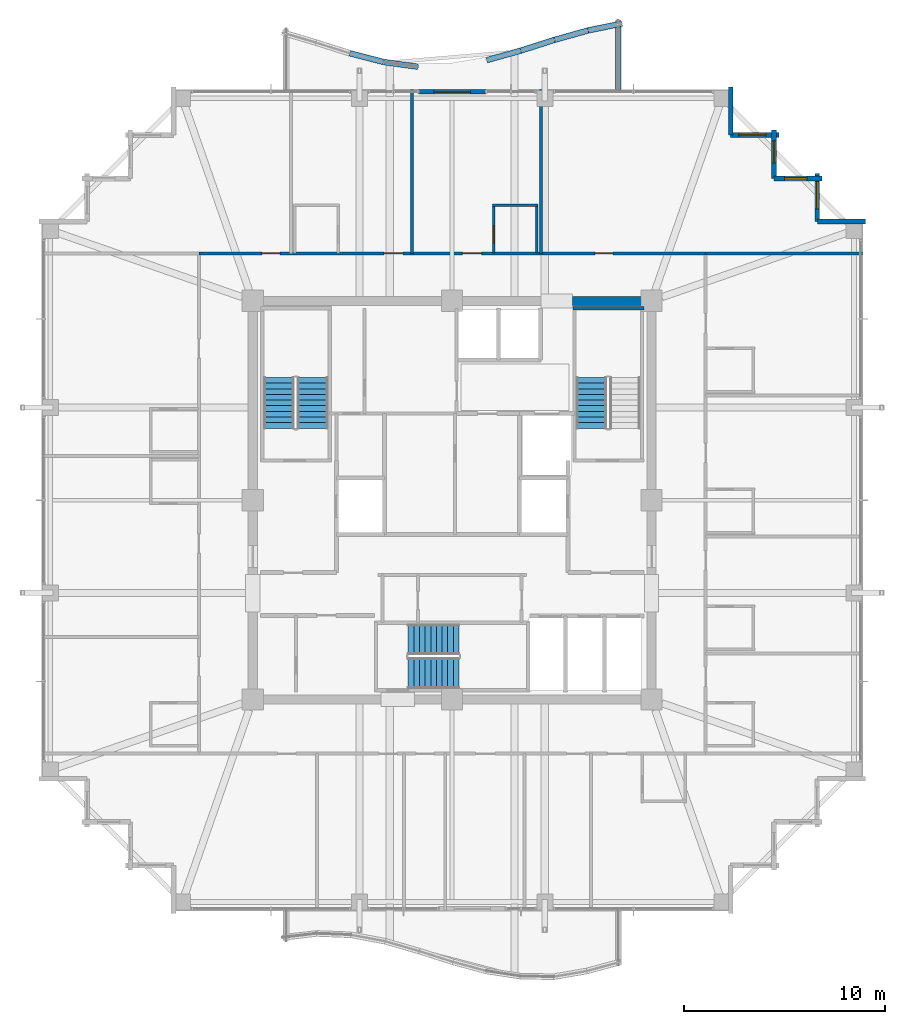
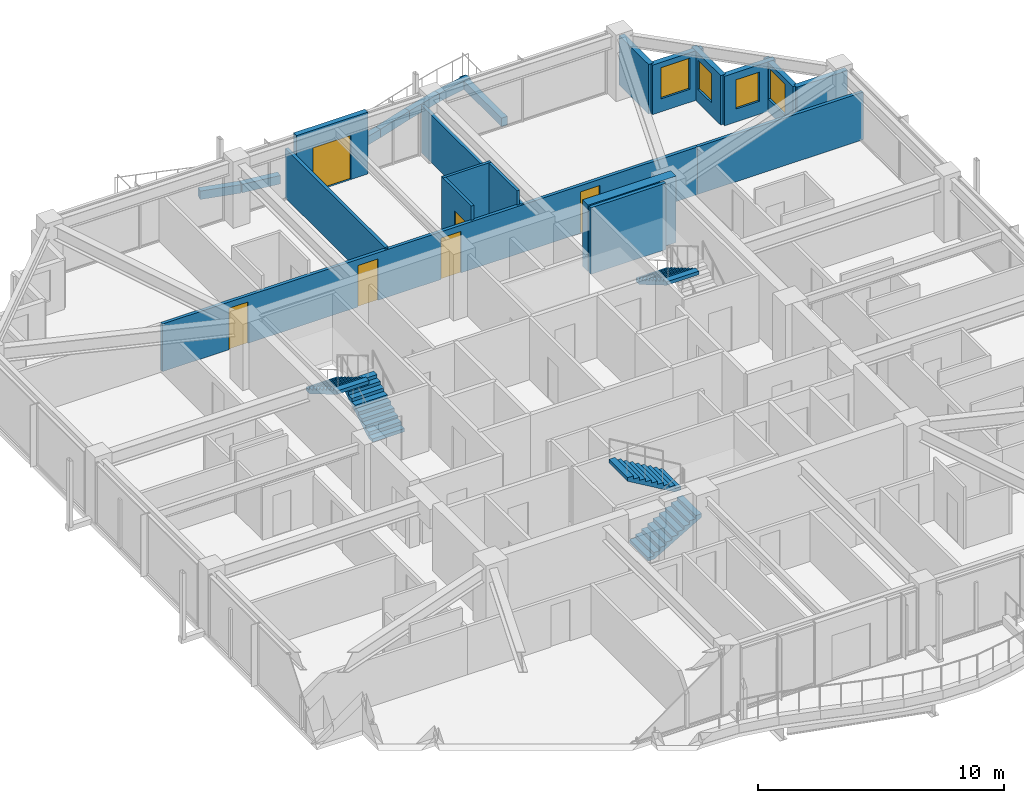
# One storey, part 35 of 38: 23 walls, 6 doors, 5 stair flights, 4 windows, 10 openings, 3 elements without a shape of their own.
"""IFC4 building model written with IfcOpenShell, lengths in metres."""

from ifc_helpers import new_model, si_unit, direction, frame, frame_2d, origin, place, context, subcontext, project, spatial, polyline, rectangle, outline, extrude, material, layer, layer_set, type_object, element, fill, aggregate, save


model = new_model("IFC4")

# Units and contexts
model_context = context("Model", 3, precision=1e-05, world=origin(), true_north=direction((0.0, 1.0)))
body_context = subcontext(model_context, "Body", "Model", "MODEL_VIEW")
ifc_project = project(units=[si_unit("LENGTHUNIT", "METRE"), si_unit("AREAUNIT", "SQUARE_METRE"), si_unit("VOLUMEUNIT", "CUBIC_METRE"), si_unit("PLANEANGLEUNIT", "RADIAN"), si_unit("MASSUNIT", "GRAM", prefix="KILO")], contexts=[model_context])

# Site, building, storey
site_placement = place(None, origin())
site = spatial("IfcSite", under=ifc_project, at=site_placement, CompositionType="ELEMENT")
building_placement = place(site_placement, origin())
building = spatial("IfcBuilding", under=site, at=building_placement, Name="Kolvaren Belvedere", CompositionType="ELEMENT")
storey_placement = place(building_placement, frame((0.0, 0.0, 213.0)))
storey = spatial("IfcBuildingStorey", under=building, at=storey_placement, Name="L62", CompositionType="ELEMENT", Elevation=213.0)

# Walls
ifc_material_1 = material(Name="Concrete C50/60", Category="concrete")
ifc_layer_1 = layer(ifc_material_1, 0.449951171875)
ifc_layer_set_1 = layer_set([ifc_layer_1], Name="Concrete C50/60")
wall_type_1 = type_object("IfcWallType", Name="CW-CORE-450", PredefinedType="SHEAR", material=ifc_layer_set_1)
wall_1_placement = place(storey_placement, frame((5.97998046875, 9.89990234375, 0.0), z_axis=(0.0, 0.0, 1.0), x_axis=(1.0, 0.0, 0.0)))
element("IfcWall", 1, at=wall_1_placement, inside=storey, type_object=wall_type_1, Name="L62 North Core Shear Wall 2", PredefinedType="SHEAR", context=body_context, shape_type="SweptSolid", body=[
    extrude(rectangle(XDim=4.14501953125, YDim=0.449951171875, at=frame_2d((2.072509765625, 0.0))), origin(), (0.0, 0.0, 1.0), 3.300048828125),
])
ifc_material_2 = material(Name="Concrete C50/60", Category="concrete")
ifc_layer_2 = layer(ifc_material_2, 0.159912109375)
ifc_layer_set_2 = layer_set([ifc_layer_2], Name="Concrete C50/60")
wall_type_2 = type_object("IfcWallType", Name="CW-STAIR-160", PredefinedType="SHEAR", material=ifc_layer_set_2)
wall_2_placement = place(storey_placement, frame((6.0, 9.530029296875, 0.0), z_axis=(0.0, 0.0, 1.0), x_axis=(1.0, 0.0, 0.0)))
element("IfcWall", 2, at=wall_2_placement, inside=storey, type_object=wall_type_2, Name="L62 Stair ST-2 North Shear Wall", PredefinedType="SHEAR", context=body_context, shape_type="SweptSolid", body=[
    extrude(rectangle(XDim=3.52001953125, YDim=0.159912109375, at=frame_2d((1.760009765625, 0.0))), origin(), (0.0, 0.0, 1.0), 3.300048828125),
])

# Wall, openings, doors
ifc_material_3 = material(Name="Gypsum fire-rated partition assembly", Category="gypsum")
ifc_layer_3 = layer(ifc_material_3, 0.14990234375)
ifc_layer_set_3 = layer_set([ifc_layer_3], Name="Gypsum fire-rated partition assembly")
wall_type_3 = type_object("IfcWallType", Name="WL-CORR-150", PredefinedType="PARTITIONING", material=ifc_layer_set_3)
wall_3_placement = place(storey_placement, frame((-12.580078125, 12.260009765625, 0.0), z_axis=(0.0, 0.0, 1.0), x_axis=(1.0, 0.0, 0.0)))
wall_3 = element("IfcWall", 3, at=wall_3_placement, inside=storey, type_object=wall_type_3, Name="L62 North Corridor Wall", PredefinedType="PARTITIONING", context=body_context, shape_type="SweptSolid", body=[
    extrude(rectangle(XDim=25.16015625, YDim=0.14990234375, at=frame_2d((12.580078125, 0.0))), origin(), (0.0, 0.0, 1.0), 2.368896484375),
])
opening_1_placement = place(wall_3_placement, frame((3.1328125, 0.0, 0.0)))
opening_1 = element("IfcOpeningElement", 4, at=opening_1_placement, cuts=wall_3, Name="Opening D-INT90", PredefinedType="OPENING", context=body_context, shape_type="SweptSolid", body=[
    extrude(rectangle(XDim=0.89990234375, YDim=2.06005859375, at=frame_2d((0.449951171875, 1.030029296875))), frame((0.0, 0.0849609375, 0.0), z_axis=(0.0, -1.0, 0.0), x_axis=(1.0, 0.0, 0.0)), (0.0, 0.0, 1.0), 0.169921875),
])
opening_2_placement = place(wall_3_placement, frame((9.187744140625, 0.0, 0.0)))
opening_2 = element("IfcOpeningElement", 5, at=opening_2_placement, cuts=wall_3, Name="Opening D-FD60", PredefinedType="OPENING", context=body_context, shape_type="SweptSolid", body=[
    extrude(rectangle(XDim=0.949951171875, YDim=2.06005859375, at=frame_2d((0.47509765625, 1.030029296875))), frame((0.0, 0.0849609375, 0.0), z_axis=(0.0, -1.0, 0.0), x_axis=(1.0, 0.0, 0.0)), (0.0, 0.0, 1.0), 0.169921875),
])
opening_3_placement = place(wall_3_placement, frame((13.08740234375, 0.0, 0.0)))
opening_3 = element("IfcOpeningElement", 6, at=opening_3_placement, cuts=wall_3, Name="Opening D-FD60", PredefinedType="OPENING", context=body_context, shape_type="SweptSolid", body=[
    extrude(rectangle(XDim=0.949951171875, YDim=2.06005859375, at=frame_2d((0.47509765625, 1.030029296875))), frame((0.0, 0.0849609375, 0.0), z_axis=(0.0, -1.0, 0.0), x_axis=(1.0, 0.0, 0.0)), (0.0, 0.0, 1.0), 0.169921875),
])
opening_4_placement = place(wall_3_placement, frame((19.6650390625, 0.0, 0.0)))
opening_4 = element("IfcOpeningElement", 7, at=opening_4_placement, cuts=wall_3, Name="Opening D-INT90", PredefinedType="OPENING", context=body_context, shape_type="SweptSolid", body=[
    extrude(rectangle(XDim=0.89990234375, YDim=2.06005859375, at=frame_2d((0.449951171875, 1.030029296875))), frame((0.0, 0.0849609375, 0.0), z_axis=(0.0, -1.0, 0.0), x_axis=(1.0, 0.0, 0.0)), (0.0, 0.0, 1.0), 0.169921875),
])
ifc_material_4 = material(Name="Acoustic white-oak fire door leaf", Category="timber")
door_type_1 = type_object("IfcDoorType", Name="DR-FD60-950", OperationType="NOTDEFINED", PredefinedType="DOOR", material=ifc_material_4)
door_1_placement = place(opening_2_placement, origin())
door_1 = element("IfcDoor", 8, at=door_1_placement, inside=storey, type_object=door_type_1, Name="L62 Twin Guest Room 6213 Entry Door", OperationType="SINGLE_SWING_RIGHT", OverallHeight=2.06005859375, OverallWidth=0.949951171875, PredefinedType="DOOR", context=body_context, shape_type="SweptSolid", body=[
    extrude(rectangle(XDim=0.949951171875, YDim=2.06005859375, at=frame_2d((0.47509765625, 1.030029296875))), frame((0.0, 0.02490234375, 0.0), z_axis=(0.0, -1.0, 0.0), x_axis=(1.0, 0.0, 0.0)), (0.0, 0.0, 1.0), 0.050048828125),
])
fill(opening_2, door_1)
door_2_placement = place(opening_3_placement, origin())
door_2 = element("IfcDoor", 9, at=door_2_placement, inside=storey, type_object=door_type_1, Name="L62 Deluxe King Guest Room 6214 Entry Door", OperationType="SINGLE_SWING_RIGHT", OverallHeight=2.06005859375, OverallWidth=0.949951171875, PredefinedType="DOOR", context=body_context, shape_type="SweptSolid", body=[
    extrude(rectangle(XDim=0.949951171875, YDim=2.06005859375, at=frame_2d((0.47509765625, 1.030029296875))), frame((0.0, 0.02490234375, 0.0), z_axis=(0.0, -1.0, 0.0), x_axis=(1.0, 0.0, 0.0)), (0.0, 0.0, 1.0), 0.050048828125),
])
fill(opening_3, door_2)
ifc_material_5 = material(Name="Stained Pacific white oak", Category="timber")
door_type_2 = type_object("IfcDoorType", Name="DR-INT-900", OperationType="NOTDEFINED", PredefinedType="DOOR", material=ifc_material_5)
door_3_placement = place(opening_1_placement, origin())
door_3 = element("IfcDoor", 10, at=door_3_placement, inside=storey, type_object=door_type_2, Name="L62 Lounge 6212 Door", OperationType="SINGLE_SWING_RIGHT", OverallHeight=2.06005859375, OverallWidth=0.89990234375, PredefinedType="DOOR", context=body_context, shape_type="SweptSolid", body=[
    extrude(rectangle(XDim=0.89990234375, YDim=2.06005859375, at=frame_2d((0.449951171875, 1.030029296875))), frame((0.0, 0.02490234375, 0.0), z_axis=(0.0, -1.0, 0.0), x_axis=(1.0, 0.0, 0.0)), (0.0, 0.0, 1.0), 0.050048828125),
])
fill(opening_1, door_3)
door_4_placement = place(opening_4_placement, origin())
door_4 = element("IfcDoor", 11, at=door_4_placement, inside=storey, type_object=door_type_2, Name="L62 Lounge 6215 Door", OperationType="SINGLE_SWING_LEFT", OverallHeight=2.06005859375, OverallWidth=0.89990234375, PredefinedType="DOOR", context=body_context, shape_type="SweptSolid", body=[
    extrude(rectangle(XDim=0.89990234375, YDim=2.06005859375, at=frame_2d((0.449951171875, 1.030029296875))), frame((0.0, 0.02490234375, 0.0), z_axis=(0.0, -1.0, 0.0), x_axis=(1.0, 0.0, 0.0)), (0.0, 0.0, 1.0), 0.050048828125),
])
fill(opening_4, door_4)

# Wall
ifc_material_6 = material(Name="Insulated pale-metal facade wall assembly", Category="aluminium")
ifc_layer_4 = layer(ifc_material_6, 0.239990234375)
ifc_layer_set_4 = layer_set([ifc_layer_4], Name="Insulated pale-metal facade wall assembly")
wall_type_4 = type_object("IfcWallType", Name="WL-EXT-240", PredefinedType="STANDARD", material=ifc_layer_set_4)
wall_4_placement = place(storey_placement, frame((18.1298828125, 13.830078125, 0.0), z_axis=(0.0, 0.0, 1.0), x_axis=(1.0, 0.0, 0.0)))
element("IfcWall", 12, at=wall_4_placement, inside=storey, type_object=wall_type_4, Name="L62 Serrated Corner Facade Wall 9", PredefinedType="STANDARD", context=body_context, shape_type="SweptSolid", body=[
    extrude(rectangle(XDim=2.39013671875, YDim=0.239990234375, at=frame_2d((1.195068359375, 0.0))), origin(), (0.0, 0.0, 1.0), 2.462890625),
])

# Wall, opening, window
wall_5_placement = place(storey_placement, frame((18.1298828125, 16.219970703125, 0.0), z_axis=(0.0, 0.0, 1.0), x_axis=(0.0, -1.0, 0.0)))
wall_5 = element("IfcWall", 13, at=wall_5_placement, inside=storey, type_object=wall_type_4, Name="L62 Serrated Corner Facade Wall 10", PredefinedType="STANDARD", context=body_context, shape_type="SweptSolid", body=[
    extrude(rectangle(XDim=2.389892578125, YDim=0.239990234375, at=frame_2d((1.19482421875, 0.0))), origin(), (0.0, 0.0, 1.0), 2.462890625),
])
opening_5_placement = place(wall_5_placement, frame((0.39990234375, 0.0, 0.64990234375)))
opening_5 = element("IfcOpeningElement", 14, at=opening_5_placement, cuts=wall_5, Name="Opening W-1350", PredefinedType="OPENING", context=body_context, shape_type="SweptSolid", body=[
    extrude(rectangle(XDim=1.35009765625, YDim=1.550048828125, at=frame_2d((0.675048828125, 0.77490234375))), frame((0.0, 0.1298828125, 0.0), z_axis=(0.0, -1.0, 0.0), x_axis=(1.0, 0.0, 0.0)), (0.0, 0.0, 1.0), 0.260009765625),
])
ifc_material_7 = material(Name="Low-iron triple insulated glass", Category="glass")
window_type_1 = type_object("IfcWindowType", Name="WN-CORN-1350", PartitioningType="SINGLE_PANEL", PredefinedType="WINDOW", material=ifc_material_7)
window_1_placement = place(opening_5_placement, origin())
window_1 = element("IfcWindow", 15, at=window_1_placement, inside=storey, type_object=window_type_1, Name="L62 Serrated Corner Vision Window 10", OverallHeight=1.550048828125, OverallWidth=1.35009765625, PartitioningType="SINGLE_PANEL", PredefinedType="WINDOW", context=body_context, shape_type="SweptSolid", body=[
    extrude(rectangle(XDim=1.35009765625, YDim=1.550048828125, at=frame_2d((0.675048828125, 0.77490234375))), frame((0.0, 0.030029296875, 0.0), z_axis=(0.0, -1.0, 0.0), x_axis=(1.0, 0.0, 0.0)), (0.0, 0.0, 1.0), 0.06005859375),
])
fill(opening_5, window_1)

wall_6_placement = place(storey_placement, frame((15.97998046875, 15.97998046875, 0.0), z_axis=(0.0, 0.0, 1.0), x_axis=(1.0, 0.0, 0.0)))
wall_6 = element("IfcWall", 16, at=wall_6_placement, inside=storey, type_object=wall_type_4, Name="L62 Serrated Corner Facade Wall 11", PredefinedType="STANDARD", context=body_context, shape_type="SweptSolid", body=[
    extrude(rectangle(XDim=2.39013671875, YDim=0.239990234375, at=frame_2d((1.195068359375, 0.0))), origin(), (0.0, 0.0, 1.0), 2.462890625),
])
opening_6_placement = place(wall_6_placement, frame((0.52490234375, 0.0, 0.64990234375)))
opening_6 = element("IfcOpeningElement", 17, at=opening_6_placement, cuts=wall_6, Name="Opening W-1100", PredefinedType="OPENING", context=body_context, shape_type="SweptSolid", body=[
    extrude(rectangle(XDim=1.10009765625, YDim=1.449951171875, at=frame_2d((0.550048828125, 0.72509765625))), frame((0.0, 0.1298828125, 0.0), z_axis=(0.0, -1.0, 0.0), x_axis=(1.0, 0.0, 0.0)), (0.0, 0.0, 1.0), 0.260009765625),
])
ifc_material_8 = material(Name="Low-iron triple insulated glass", Category="glass")
window_type_2 = type_object("IfcWindowType", Name="WN-CORN-1100", PartitioningType="SINGLE_PANEL", PredefinedType="WINDOW", material=ifc_material_8)
window_2_placement = place(opening_6_placement, origin())
window_2 = element("IfcWindow", 18, at=window_2_placement, inside=storey, type_object=window_type_2, Name="L62 Serrated Corner Vision Window 11", OverallHeight=1.449951171875, OverallWidth=1.10009765625, PartitioningType="SINGLE_PANEL", PredefinedType="WINDOW", context=body_context, shape_type="SweptSolid", body=[
    extrude(rectangle(XDim=1.10009765625, YDim=1.449951171875, at=frame_2d((0.550048828125, 0.72509765625))), frame((0.0, 0.030029296875, 0.0), z_axis=(0.0, -1.0, 0.0), x_axis=(1.0, 0.0, 0.0)), (0.0, 0.0, 1.0), 0.06005859375),
])
fill(opening_6, window_2)

wall_7_placement = place(storey_placement, frame((15.97998046875, 18.3701171875, 0.0), z_axis=(0.0, 0.0, 1.0), x_axis=(0.0, -1.0, 0.0)))
wall_7 = element("IfcWall", 19, at=wall_7_placement, inside=storey, type_object=wall_type_4, Name="L62 Serrated Corner Facade Wall 12", PredefinedType="STANDARD", context=body_context, shape_type="SweptSolid", body=[
    extrude(rectangle(XDim=2.39013671875, YDim=0.239990234375, at=frame_2d((1.195068359375, 0.0))), origin(), (0.0, 0.0, 1.0), 2.462890625),
])
opening_7_placement = place(wall_7_placement, frame((0.52490234375, 0.0, 0.64990234375)))
opening_7 = element("IfcOpeningElement", 20, at=opening_7_placement, cuts=wall_7, Name="Opening W-1100", PredefinedType="OPENING", context=body_context, shape_type="SweptSolid", body=[
    extrude(rectangle(XDim=1.10009765625, YDim=1.449951171875, at=frame_2d((0.550048828125, 0.72509765625))), frame((0.0, 0.1298828125, 0.0), z_axis=(0.0, -1.0, 0.0), x_axis=(1.0, 0.0, 0.0)), (0.0, 0.0, 1.0), 0.260009765625),
])
window_3_placement = place(opening_7_placement, origin())
window_3 = element("IfcWindow", 21, at=window_3_placement, inside=storey, type_object=window_type_2, Name="L62 Serrated Corner Vision Window 12", OverallHeight=1.449951171875, OverallWidth=1.10009765625, PartitioningType="SINGLE_PANEL", PredefinedType="WINDOW", context=body_context, shape_type="SweptSolid", body=[
    extrude(rectangle(XDim=1.10009765625, YDim=1.449951171875, at=frame_2d((0.550048828125, 0.72509765625))), frame((0.0, 0.030029296875, 0.0), z_axis=(0.0, -1.0, 0.0), x_axis=(1.0, 0.0, 0.0)), (0.0, 0.0, 1.0), 0.06005859375),
])
fill(opening_7, window_3)

wall_8_placement = place(storey_placement, frame((13.830078125, 18.1298828125, 0.0), z_axis=(0.0, 0.0, 1.0), x_axis=(1.0, 0.0, 0.0)))
wall_8 = element("IfcWall", 22, at=wall_8_placement, inside=storey, type_object=wall_type_4, Name="L62 Serrated Corner Facade Wall 13", PredefinedType="STANDARD", context=body_context, shape_type="SweptSolid", body=[
    extrude(rectangle(XDim=2.389892578125, YDim=0.239990234375, at=frame_2d((1.19482421875, 0.0))), origin(), (0.0, 0.0, 1.0), 2.462890625),
])
opening_8_placement = place(wall_8_placement, frame((0.39990234375, 0.0, 0.64990234375)))
opening_8 = element("IfcOpeningElement", 23, at=opening_8_placement, cuts=wall_8, Name="Opening W-1350", PredefinedType="OPENING", context=body_context, shape_type="SweptSolid", body=[
    extrude(rectangle(XDim=1.35009765625, YDim=1.550048828125, at=frame_2d((0.675048828125, 0.77490234375))), frame((0.0, 0.1298828125, 0.0), z_axis=(0.0, -1.0, 0.0), x_axis=(1.0, 0.0, 0.0)), (0.0, 0.0, 1.0), 0.260009765625),
])
window_4_placement = place(opening_8_placement, origin())
window_4 = element("IfcWindow", 24, at=window_4_placement, inside=storey, type_object=window_type_1, Name="L62 Serrated Corner Vision Window 13", OverallHeight=1.550048828125, OverallWidth=1.35009765625, PartitioningType="SINGLE_PANEL", PredefinedType="WINDOW", context=body_context, shape_type="SweptSolid", body=[
    extrude(rectangle(XDim=1.35009765625, YDim=1.550048828125, at=frame_2d((0.675048828125, 0.77490234375))), frame((0.0, 0.030029296875, 0.0), z_axis=(0.0, -1.0, 0.0), x_axis=(1.0, 0.0, 0.0)), (0.0, 0.0, 1.0), 0.06005859375),
])
fill(opening_8, window_4)

# Wall
wall_9_placement = place(storey_placement, frame((13.830078125, 20.52001953125, 0.0), z_axis=(0.0, 0.0, 1.0), x_axis=(0.0, -1.0, 0.0)))
element("IfcWall", 25, at=wall_9_placement, inside=storey, type_object=wall_type_4, Name="L62 Serrated Corner Facade Wall 14", PredefinedType="STANDARD", context=body_context, shape_type="SweptSolid", body=[
    extrude(rectangle(XDim=2.39013671875, YDim=0.239990234375, at=frame_2d((1.195068359375, 0.0))), origin(), (0.0, 0.0, 1.0), 2.462890625),
])

# Wall, opening, door
wall_10_placement = place(storey_placement, frame((-1.679931640625, 20.280029296875, 0.0), z_axis=(0.0, 0.0, 1.0), x_axis=(1.0, 0.0, 0.0)))
wall_10 = element("IfcWall", 26, at=wall_10_placement, inside=storey, type_object=wall_type_4, Name="L62 North Terrace Portal Wall", PredefinedType="STANDARD", context=body_context, shape_type="SweptSolid", body=[
    extrude(rectangle(XDim=3.35986328125, YDim=0.239990234375, at=frame_2d((1.679931640625, 0.0))), origin(), (0.0, 0.0, 1.0), 3.080078125),
])
opening_9_placement = place(wall_10_placement, frame((0.780029296875, 0.0, 0.0)))
opening_9 = element("IfcOpeningElement", 27, at=opening_9_placement, cuts=wall_10, Name="Opening DB-1800", PredefinedType="OPENING", context=body_context, shape_type="SweptSolid", body=[
    extrude(rectangle(XDim=1.800048828125, YDim=2.199951171875, at=frame_2d((0.89990234375, 1.10009765625))), frame((0.0, 0.1298828125, 0.0), z_axis=(0.0, -1.0, 0.0), x_axis=(1.0, 0.0, 0.0)), (0.0, 0.0, 1.0), 0.260009765625),
])
ifc_material_9 = material(Name="Thermally broken pale-metal aluminium & low-iron glass", Category="aluminium")
door_type_3 = type_object("IfcDoorType", Name="DR-BAL-1800", OperationType="DOUBLE_DOOR_SLIDING", PredefinedType="DOOR", material=ifc_material_9)
door_5_placement = place(opening_9_placement, origin())
door_5 = element("IfcDoor", 28, at=door_5_placement, inside=storey, type_object=door_type_3, Name="L62 North Planted Terrace Sliding Door", OperationType="DOUBLE_DOOR_SLIDING", OverallHeight=2.199951171875, OverallWidth=1.800048828125, PredefinedType="DOOR", context=body_context, shape_type="SweptSolid", body=[
    extrude(rectangle(XDim=1.800048828125, YDim=2.199951171875, at=frame_2d((0.89990234375, 1.10009765625))), frame((0.0, 0.02490234375, 0.0), z_axis=(0.0, -1.0, 0.0), x_axis=(1.0, 0.0, 0.0)), (0.0, 0.0, 1.0), 0.050048828125),
])
fill(opening_9, door_5)

# Walls
ifc_material_10 = material(Name="Gypsum acoustic partition assembly", Category="gypsum")
ifc_layer_5 = layer(ifc_material_10, 0.14990234375)
ifc_layer_set_5 = layer_set([ifc_layer_5], Name="Gypsum acoustic partition assembly")
wall_type_5 = type_object("IfcWallType", Name="WL-PART-150", PredefinedType="PARTITIONING", material=ifc_layer_set_5)
wall_11_placement = place(storey_placement, frame((12.580078125, 12.260009765625, 0.0), z_axis=(0.0, 0.0, 1.0), x_axis=(1.0, 0.0, 0.0)))
element("IfcWall", 29, at=wall_11_placement, inside=storey, type_object=wall_type_5, Name="L62 Wing Divider PW-L62-QNE", PredefinedType="PARTITIONING", context=body_context, shape_type="SweptSolid", body=[
    extrude(rectangle(XDim=7.7998046875, YDim=0.14990234375, at=frame_2d((3.89990234375, 0.0))), origin(), (0.0, 0.0, 1.0), 2.368896484375),
])
wall_12_placement = place(storey_placement, frame((-2.0, 12.260009765625, 0.0), z_axis=(0.0, 0.0, 1.0), x_axis=(0.0, 1.0, 0.0)))
element("IfcWall", 30, at=wall_12_placement, inside=storey, type_object=wall_type_5, Name="L62 North Suite Demising Wall 2", PredefinedType="PARTITIONING", context=body_context, shape_type="SweptSolid", body=[
    extrude(rectangle(XDim=8.119873046875, YDim=0.14990234375, at=frame_2d((4.06005859375, 0.0))), origin(), (0.0, 0.0, 1.0), 2.452880859375),
])
wall_13_placement = place(storey_placement, frame((4.39990234375, 12.260009765625, 0.0), z_axis=(0.0, 0.0, 1.0), x_axis=(0.0, 1.0, 0.0)))
element("IfcWall", 31, at=wall_13_placement, inside=storey, type_object=wall_type_5, Name="L62 North Suite Demising Wall 3", PredefinedType="PARTITIONING", context=body_context, shape_type="SweptSolid", body=[
    extrude(rectangle(XDim=8.119873046875, YDim=0.14990234375, at=frame_2d((4.06005859375, 0.0))), origin(), (0.0, 0.0, 1.0), 2.368896484375),
])
ifc_material_11 = material(Name="Precast concrete C40/50", Category="concrete")
ifc_layer_6 = layer(ifc_material_11, 0.300048828125)
ifc_layer_set_6 = layer_set([ifc_layer_6], Name="Precast concrete C40/50")
wall_type_6 = type_object("IfcWallType", Name="WL-PLANTER-300", PredefinedType="PARAPET", material=ifc_layer_set_6)
wall_14_placement = place(storey_placement, frame((8.239990234375, 20.39990234375, -0.0400390625), z_axis=(0.0, 0.0, 1.0), x_axis=(0.0, 1.0, 0.0)))
element("IfcWall", 32, at=wall_14_placement, inside=storey, type_object=wall_type_6, Name="L62 Precast Structural Planter Wall BAL-N-11", PredefinedType="PARAPET", context=body_context, shape_type="SweptSolid", body=[
    extrude(rectangle(XDim=3.420166015625, YDim=0.280029296875, at=frame_2d((1.7099609375, 0.0))), origin(), (0.0, 0.0, 1.0), 0.419921875),
])
wall_15_placement = place(storey_placement, frame((8.431884765625, 23.6630859375, -0.0400390625), z_axis=(0.0, 0.0, 1.0), x_axis=(-0.980067977123, -0.198662427795, 0.0)))
element("IfcWall", 33, at=wall_15_placement, inside=storey, type_object=wall_type_6, Name="L62 Precast Structural Planter Wall BAL-N-12", PredefinedType="PARAPET", context=body_context, shape_type="SweptSolid", body=[
    extrude(rectangle(XDim=1.71435546875, YDim=0.280029296875, at=frame_2d((0.857177734375, 0.0))), origin(), (0.0, 0.0, 1.0), 0.419921875),
])
wall_16_placement = place(storey_placement, frame((6.76318359375, 23.3251953125, -0.0400390625), z_axis=(0.0, 0.0, 1.0), x_axis=(-0.962916043401, -0.269801210823, 0.0)))
element("IfcWall", 34, at=wall_16_placement, inside=storey, type_object=wall_type_6, Name="L62 Precast Structural Planter Wall BAL-N-13", PredefinedType="PARAPET", context=body_context, shape_type="SweptSolid", body=[
    extrude(rectangle(XDim=1.74462890625, YDim=0.280029296875, at=frame_2d((0.872314453125, 0.0))), origin(), (0.0, 0.0, 1.0), 0.419921875),
])
wall_17_placement = place(storey_placement, frame((5.088623046875, 22.856201171875, -0.0400390625), z_axis=(0.0, 0.0, 1.0), x_axis=(-0.952501264923, -0.304534629099, 0.0)))
element("IfcWall", 35, at=wall_17_placement, inside=storey, type_object=wall_type_6, Name="L62 Precast Structural Planter Wall BAL-N-14", PredefinedType="PARAPET", context=body_context, shape_type="SweptSolid", body=[
    extrude(rectangle(XDim=1.763671875, YDim=0.280029296875, at=frame_2d((0.8818359375, 0.0))), origin(), (0.0, 0.0, 1.0), 0.419921875),
])
wall_18_placement = place(storey_placement, frame((3.4033203125, 22.3173828125, -0.0400390625), z_axis=(0.0, 0.0, 1.0), x_axis=(-0.962926227834, -0.269764860108, 0.0)))
element("IfcWall", 36, at=wall_18_placement, inside=storey, type_object=wall_type_6, Name="L62 Precast Structural Planter Wall BAL-N-15", PredefinedType="PARAPET", context=body_context, shape_type="SweptSolid", body=[
    extrude(rectangle(XDim=1.744873046875, YDim=0.280029296875, at=frame_2d((0.87255859375, 0.0))), origin(), (0.0, 0.0, 1.0), 0.419921875),
])
wall_19_placement = place(storey_placement, frame((-1.70166015625, 21.5205078125, -0.0400390625), z_axis=(0.0, 0.0, 1.0), x_axis=(-0.990855562068, 0.134926850989, 0.0)))
element("IfcWall", 37, at=wall_19_placement, inside=storey, type_object=wall_type_6, Name="L62 Precast Structural Planter Wall BAL-N-18", PredefinedType="PARAPET", context=body_context, shape_type="SweptSolid", body=[
    extrude(rectangle(XDim=1.695556640625, YDim=0.280029296875, at=frame_2d((0.84765625, 0.0))), origin(), (0.0, 0.0, 1.0), 0.419921875),
])
wall_20_placement = place(storey_placement, frame((-3.400146484375, 21.7529296875, -0.0400390625), z_axis=(0.0, 0.0, 1.0), x_axis=(-0.968132209145, 0.250439664624, 0.0)))
element("IfcWall", 38, at=wall_20_placement, inside=storey, type_object=wall_type_6, Name="L62 Precast Structural Planter Wall BAL-N-19", PredefinedType="PARAPET", context=body_context, shape_type="SweptSolid", body=[
    extrude(rectangle(XDim=1.7353515625, YDim=0.280029296875, at=frame_2d((0.86767578125, 0.0))), origin(), (0.0, 0.0, 1.0), 0.419921875),
])

# Wall, opening, door
ifc_material_12 = material(Name="Moisture-resistant gypsum partition", Category="gypsum")
ifc_layer_7 = layer(ifc_material_12, 0.125)
ifc_layer_set_7 = layer_set([ifc_layer_7], Name="Moisture-resistant gypsum partition")
wall_type_7 = type_object("IfcWallType", Name="WL-WET-125", PredefinedType="PARTITIONING", material=ifc_layer_set_7)
wall_21_placement = place(storey_placement, frame((2.054931640625, 12.27490234375, 0.0), z_axis=(0.0, 0.0, 1.0), x_axis=(0.0, 1.0, 0.0)))
wall_21 = element("IfcWall", 39, at=wall_21_placement, inside=storey, type_object=wall_type_7, Name="L62 Bathroom Partition PW-L62-BTH-14-E", PredefinedType="PARTITIONING", context=body_context, shape_type="SweptSolid", body=[
    extrude(rectangle(XDim=2.440185546875, YDim=0.125, at=frame_2d((1.22021484375, 0.0))), origin(), (0.0, 0.0, 1.0), 3.080078125),
])
opening_10_placement = place(wall_21_placement, frame((0.5, 0.0, 0.0)))
opening_10 = element("IfcOpeningElement", 40, at=opening_10_placement, cuts=wall_21, Name="Opening D-BTH85", PredefinedType="OPENING", context=body_context, shape_type="SweptSolid", body=[
    extrude(rectangle(XDim=0.85009765625, YDim=2.030029296875, at=frame_2d((0.425048828125, 1.01513671875))), frame((0.0, 0.072509765625, 0.0), z_axis=(0.0, -1.0, 0.0), x_axis=(1.0, 0.0, 0.0)), (0.0, 0.0, 1.0), 0.14501953125),
])
ifc_material_13 = material(Name="Moisture-sealed Pacific white oak", Category="timber")
door_type_4 = type_object("IfcDoorType", Name="DR-BATH-850", OperationType="NOTDEFINED", PredefinedType="DOOR", material=ifc_material_13)
door_6_placement = place(opening_10_placement, origin())
door_6 = element("IfcDoor", 41, at=door_6_placement, inside=storey, type_object=door_type_4, Name="L62 En-Suite Bathroom 6214 Door", OperationType="SINGLE_SWING_LEFT", OverallHeight=2.030029296875, OverallWidth=0.85009765625, PredefinedType="DOOR", context=body_context, shape_type="SweptSolid", body=[
    extrude(rectangle(XDim=0.85009765625, YDim=2.030029296875, at=frame_2d((0.425048828125, 1.01513671875))), frame((0.0, 0.02490234375, 0.0), z_axis=(0.0, -1.0, 0.0), x_axis=(1.0, 0.0, 0.0)), (0.0, 0.0, 1.0), 0.050048828125),
])
fill(opening_10, door_6)

# Walls
wall_22_placement = place(storey_placement, frame((1.9951171875, 14.635009765625, 0.0), z_axis=(0.0, 0.0, 1.0), x_axis=(1.0, 0.0, 0.0)))
element("IfcWall", 42, at=wall_22_placement, inside=storey, type_object=wall_type_7, Name="L62 Bathroom Partition PW-L62-BTH-14-H", PredefinedType="PARTITIONING", context=body_context, shape_type="SweptSolid", body=[
    extrude(rectangle(XDim=2.269775390625, YDim=0.125, at=frame_2d((1.134765625, 0.0))), origin(), (0.0, 0.0, 1.0), 3.080078125),
])
wall_23_placement = place(storey_placement, frame((4.205078125, 12.27490234375, 0.0), z_axis=(0.0, 0.0, 1.0), x_axis=(0.0, 1.0, 0.0)))
element("IfcWall", 43, at=wall_23_placement, inside=storey, type_object=wall_type_7, Name="L62 Bathroom Partition PW-L62-BTH-14-W", PredefinedType="PARTITIONING", context=body_context, shape_type="SweptSolid", body=[
    extrude(rectangle(XDim=2.440185546875, YDim=0.125, at=frame_2d((1.22021484375, 0.0))), origin(), (0.0, 0.0, 1.0), 3.080078125),
])

# Stair, stair flights
ifc_material_14 = material(Name="Concrete C50/60", Category="concrete")
stair_type = type_object("IfcStairType", Name="ST-CORE-1520", PredefinedType="HALF_TURN_STAIR", material=ifc_material_14)
stair_1_placement = place(storey_placement, origin())
stair_1 = element("IfcStair", 44, at=stair_1_placement, inside=storey, type_object=stair_type, Name="L62 Protected Exit Stair ST-1", PredefinedType="HALF_TURN_STAIR")
ifc_material_15 = material(Name="Concrete C50/60", Category="concrete")
stair_flight_type = type_object("IfcStairFlightType", Name="SF-STR-1520", PredefinedType="STRAIGHT", material=ifc_material_15)
stair_flight_1_placement = place(storey_placement, frame((-6.919921875, 3.570068359375, 0.0), z_axis=(0.0, 0.0, 1.0), x_axis=(0.0, 1.0, 0.0)))
stair_flight_1 = element("IfcStairFlight", 45, at=stair_flight_1_placement, type_object=stair_flight_type, Name="ST-1 flight 1", NumberOfRisers=10, NumberOfTreads=9, PredefinedType="STRAIGHT", RiserHeight=0.165, TreadLength=0.28, context=body_context, shape_type="SweptSolid", body=[
    extrude(outline(polyline([(0.0, 0.0), (0.0, 0.1650390625), (0.280029296875, 0.1650390625), (0.280029296875, 0.330078125), (0.56005859375, 0.330078125), (0.56005859375, 0.4951171875), (0.840087890625, 0.4951171875), (0.840087890625, 0.659912109375), (1.1201171875, 0.659912109375), (1.1201171875, 0.824951171875), (1.39990234375, 0.824951171875), (1.39990234375, 0.989990234375), (1.679931640625, 0.989990234375), (1.679931640625, 1.155029296875), (1.9599609375, 1.155029296875), (1.9599609375, 1.320068359375), (2.239990234375, 1.320068359375), (2.239990234375, 1.485107421875), (2.52001953125, 1.485107421875), (2.52001953125, 1.64990234375), (2.52001953125, 1.31103515625), (0.295166015625, 0.0), (0.0, 0.0)])), frame((0.0, 0.760009765625, 0.0), z_axis=(0.0, -1.0, 0.0), x_axis=(1.0, 0.0, 0.0)), (0.0, 0.0, 1.0), 1.52001953125),
])
stair_flight_2_placement = place(storey_placement, frame((-8.590087890625, 6.090087890625, 1.64990234375), z_axis=(0.0, 0.0, 1.0), x_axis=(0.0, -1.0, 0.0)))
stair_flight_2 = element("IfcStairFlight", 46, at=stair_flight_2_placement, type_object=stair_flight_type, Name="ST-1 flight 2", NumberOfRisers=10, NumberOfTreads=9, PredefinedType="STRAIGHT", RiserHeight=0.165, TreadLength=0.28, context=body_context, shape_type="SweptSolid", body=[
    extrude(outline(polyline([(0.0, 0.0), (0.0, 0.1650390625), (0.280029296875, 0.1650390625), (0.280029296875, 0.330078125), (0.56005859375, 0.330078125), (0.56005859375, 0.4951171875), (0.840087890625, 0.4951171875), (0.840087890625, 0.659912109375), (1.1201171875, 0.659912109375), (1.1201171875, 0.824951171875), (1.39990234375, 0.824951171875), (1.39990234375, 0.989990234375), (1.679931640625, 0.989990234375), (1.679931640625, 1.155029296875), (1.9599609375, 1.155029296875), (1.9599609375, 1.320068359375), (2.239990234375, 1.320068359375), (2.239990234375, 1.485107421875), (2.52001953125, 1.485107421875), (2.52001953125, 1.64990234375), (2.52001953125, 1.31103515625), (0.295166015625, 0.0), (0.0, 0.0)])), frame((0.0, 0.760009765625, 0.0), z_axis=(0.0, -1.0, 0.0), x_axis=(1.0, 0.0, 0.0)), (0.0, 0.0, 1.0), 1.52001953125),
])
aggregate(stair_1, [stair_flight_1, stair_flight_2])

# Stair, stair flight
stair_2_placement = place(storey_placement, origin())
stair_2 = element("IfcStair", 47, at=stair_2_placement, inside=storey, type_object=stair_type, Name="L62 Protected Exit Stair ST-2", PredefinedType="HALF_TURN_STAIR")
stair_flight_3_placement = place(storey_placement, frame((6.919921875, 6.090087890625, 1.64990234375), z_axis=(0.0, 0.0, 1.0), x_axis=(0.0, -1.0, 0.0)))
stair_flight_3 = element("IfcStairFlight", 48, at=stair_flight_3_placement, type_object=stair_flight_type, Name="ST-2 flight 2", NumberOfRisers=10, NumberOfTreads=9, PredefinedType="STRAIGHT", RiserHeight=0.165, TreadLength=0.28, context=body_context, shape_type="SweptSolid", body=[
    extrude(outline(polyline([(0.0, 0.0), (0.0, 0.1650390625), (0.280029296875, 0.1650390625), (0.280029296875, 0.330078125), (0.56005859375, 0.330078125), (0.56005859375, 0.4951171875), (0.840087890625, 0.4951171875), (0.840087890625, 0.659912109375), (1.1201171875, 0.659912109375), (1.1201171875, 0.824951171875), (1.39990234375, 0.824951171875), (1.39990234375, 0.989990234375), (1.679931640625, 0.989990234375), (1.679931640625, 1.155029296875), (1.9599609375, 1.155029296875), (1.9599609375, 1.320068359375), (2.239990234375, 1.320068359375), (2.239990234375, 1.485107421875), (2.52001953125, 1.485107421875), (2.52001953125, 1.64990234375), (2.52001953125, 1.31103515625), (0.295166015625, 0.0), (0.0, 0.0)])), frame((0.0, 0.760009765625, 0.0), z_axis=(0.0, -1.0, 0.0), x_axis=(1.0, 0.0, 0.0)), (0.0, 0.0, 1.0), 1.52001953125),
])
aggregate(stair_2, [stair_flight_3])

# Stair, stair flights
stair_3_placement = place(storey_placement, origin())
stair_3 = element("IfcStair", 49, at=stair_3_placement, inside=storey, type_object=stair_type, Name="L62 Protected Exit Stair ST-3", PredefinedType="HALF_TURN_STAIR")
stair_flight_4_placement = place(storey_placement, frame((-2.179931640625, -8.590087890625, 0.0), z_axis=(0.0, 0.0, 1.0), x_axis=(1.0, 0.0, 0.0)))
stair_flight_4 = element("IfcStairFlight", 50, at=stair_flight_4_placement, type_object=stair_flight_type, Name="ST-3 flight 1", NumberOfRisers=10, NumberOfTreads=9, PredefinedType="STRAIGHT", RiserHeight=0.165, TreadLength=0.28, context=body_context, shape_type="SweptSolid", body=[
    extrude(outline(polyline([(0.0, 0.0), (0.0, 0.1650390625), (0.280029296875, 0.1650390625), (0.280029296875, 0.330078125), (0.56005859375, 0.330078125), (0.56005859375, 0.4951171875), (0.840087890625, 0.4951171875), (0.840087890625, 0.659912109375), (1.1201171875, 0.659912109375), (1.1201171875, 0.824951171875), (1.39990234375, 0.824951171875), (1.39990234375, 0.989990234375), (1.679931640625, 0.989990234375), (1.679931640625, 1.155029296875), (1.9599609375, 1.155029296875), (1.9599609375, 1.320068359375), (2.239990234375, 1.320068359375), (2.239990234375, 1.485107421875), (2.52001953125, 1.485107421875), (2.52001953125, 1.64990234375), (2.52001953125, 1.31103515625), (0.295166015625, 0.0), (0.0, 0.0)])), frame((0.0, 0.760009765625, 0.0), z_axis=(0.0, -1.0, 0.0), x_axis=(1.0, 0.0, 0.0)), (0.0, 0.0, 1.0), 1.52001953125),
])
stair_flight_5_placement = place(storey_placement, frame((0.340087890625, -6.919921875, 1.64990234375), z_axis=(0.0, 0.0, 1.0), x_axis=(-1.0, 0.0, 0.0)))
stair_flight_5 = element("IfcStairFlight", 51, at=stair_flight_5_placement, type_object=stair_flight_type, Name="ST-3 flight 2", NumberOfRisers=10, NumberOfTreads=9, PredefinedType="STRAIGHT", RiserHeight=0.165, TreadLength=0.28, context=body_context, shape_type="SweptSolid", body=[
    extrude(outline(polyline([(0.0, 0.0), (0.0, 0.1650390625), (0.280029296875, 0.1650390625), (0.280029296875, 0.330078125), (0.56005859375, 0.330078125), (0.56005859375, 0.4951171875), (0.840087890625, 0.4951171875), (0.840087890625, 0.659912109375), (1.1201171875, 0.659912109375), (1.1201171875, 0.824951171875), (1.39990234375, 0.824951171875), (1.39990234375, 0.989990234375), (1.679931640625, 0.989990234375), (1.679931640625, 1.155029296875), (1.9599609375, 1.155029296875), (1.9599609375, 1.320068359375), (2.239990234375, 1.320068359375), (2.239990234375, 1.485107421875), (2.52001953125, 1.485107421875), (2.52001953125, 1.64990234375), (2.52001953125, 1.31103515625), (0.295166015625, 0.0), (0.0, 0.0)])), frame((0.0, 0.760009765625, 0.0), z_axis=(0.0, -1.0, 0.0), x_axis=(1.0, 0.0, 0.0)), (0.0, 0.0, 1.0), 1.52001953125),
])
aggregate(stair_3, [stair_flight_4, stair_flight_5])

save(model, "model.ifc")
